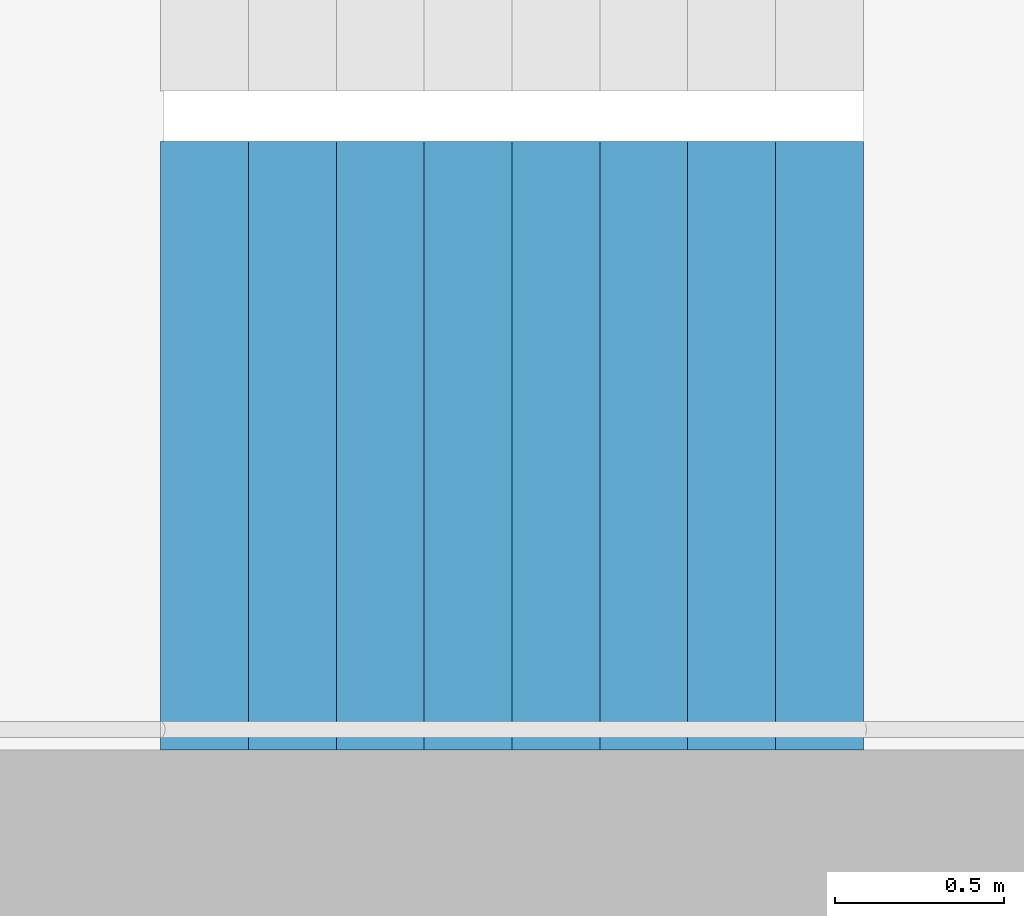
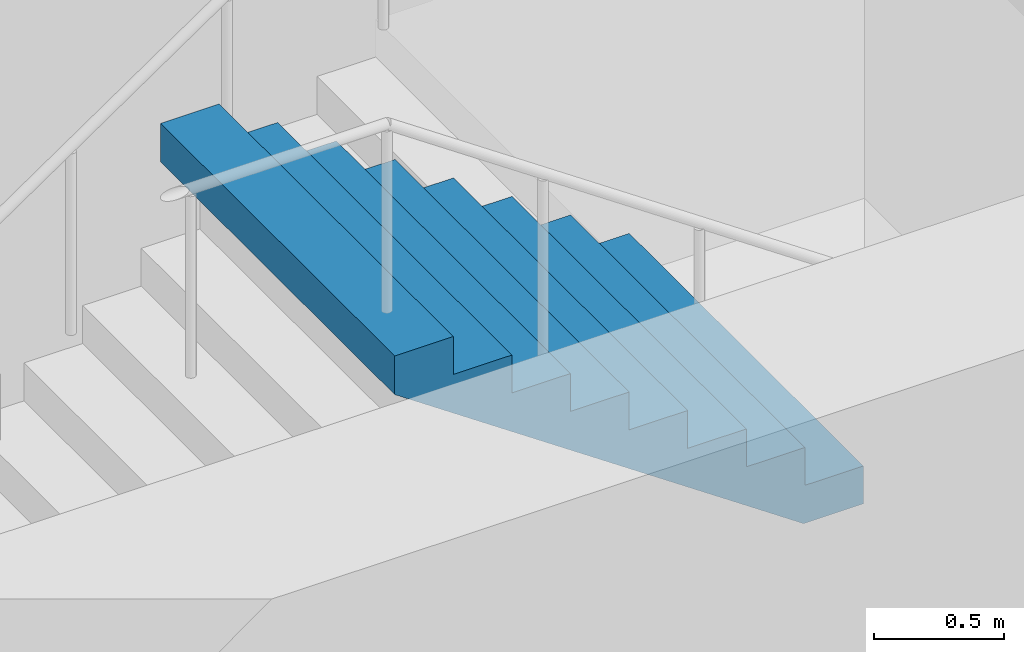
# One storey, part 23 of 33: 1 stair flight, 1 element without a shape of its own.
"""IFC4 building model written with IfcOpenShell, lengths in metres."""

from ifc_helpers import new_model, si_unit, direction, frame, origin, place, context, subcontext, project, spatial, triangles, material, type_object, element, aggregate, save


model = new_model("IFC4")

# Units and contexts
model_context = context("Model", 3, precision=1e-05, world=origin(), true_north=direction((0.0, 1.0)))
body_context = subcontext(model_context, "Body", "Model", "MODEL_VIEW")
ifc_project = project(units=[si_unit("LENGTHUNIT", "METRE"), si_unit("AREAUNIT", "SQUARE_METRE"), si_unit("VOLUMEUNIT", "CUBIC_METRE"), si_unit("PLANEANGLEUNIT", "RADIAN"), si_unit("MASSUNIT", "GRAM", prefix="KILO")], contexts=[model_context])

# Site, building, storey
site_placement = place(None, origin())
site = spatial("IfcSite", under=ifc_project, at=site_placement, CompositionType="ELEMENT")
building_placement = place(site_placement, origin())
building = spatial("IfcBuilding", under=site, at=building_placement, Name="Hakoniwa Tower and Hamabe Station Hall", CompositionType="ELEMENT")
storey_placement = place(building_placement, frame((0.0, 0.0, 81.800048828125)))
storey = spatial("IfcBuildingStorey", under=building, at=storey_placement, Name="L22", CompositionType="ELEMENT", Elevation=81.800048828125)

# Stair, stair flight
ifc_material_1 = material(Name="Concrete C40", Category="concrete")
stair_type = type_object("IfcStairType", Name="ESCAPE STAIR 1800", PredefinedType="HALF_TURN_STAIR", material=ifc_material_1)
stair_placement = place(storey_placement, origin())
stair = element("IfcStair", 1, at=stair_placement, inside=storey, type_object=stair_type, Name="Escape stair ST-4 L22", PredefinedType="HALF_TURN_STAIR")
ifc_material_2 = material(Name="Concrete C40", Category="concrete")
stair_flight_type = type_object("IfcStairFlightType", Name="STAIR FLIGHT 1800", PredefinedType="STRAIGHT", material=ifc_material_2)
stair_flight_placement = place(storey_placement, frame((25.47998046875, -6.60009765625, 1.599853515625), z_axis=(0.0, 0.0, 1.0), x_axis=(-1.0, 0.0, 0.0)))
stair_flight = element("IfcStairFlight", 2, at=stair_flight_placement, type_object=stair_flight_type, Name="ST-4 flight 2", NumberOfRisers=9, NumberOfTreads=8, PredefinedType="STRAIGHT", RiserHeight=0.177777778, TreadLength=0.26, context=body_context, shape_type="Tessellation", body=[
    triangles([(0.0, 0.89990234375, 0.0), (0.260009765625, 0.89990234375, 0.0), (0.265625, 0.89990234375, 0.0), (0.52001953125, 0.89990234375, 0.174072265625), (0.780029296875, 0.89990234375, 0.351806640625), (1.0400390625, 0.89990234375, 0.529541015625), (1.300048828125, 0.89990234375, 0.707275390625), (1.56005859375, 0.89990234375, 0.885009765625), (1.820068359375, 0.89990234375, 1.062744140625), (2.080078125, 0.89990234375, 1.24072265625), (2.080078125, 0.89990234375, 1.422119140625), (1.820068359375, 0.89990234375, 1.422119140625), (1.820068359375, 0.89990234375, 1.244384765625), (1.56005859375, 0.89990234375, 1.244384765625), (1.56005859375, 0.89990234375, 1.066650390625), (1.300048828125, 0.89990234375, 1.066650390625), (1.300048828125, 0.89990234375, 0.888916015625), (1.0400390625, 0.89990234375, 0.888916015625), (1.0400390625, 0.89990234375, 0.711181640625), (0.780029296875, 0.89990234375, 0.711181640625), (0.780029296875, 0.89990234375, 0.533447265625), (0.52001953125, 0.89990234375, 0.533447265625), (0.52001953125, 0.89990234375, 0.35546875), (0.265625, 0.89990234375, 0.35546875), (0.260009765625, 0.89990234375, 0.35546875), (0.260009765625, 0.89990234375, 0.177734375), (0.0, 0.89990234375, 0.177734375), (0.0, 0.06005859375, 0.0), (0.260009765625, 0.06005859375, 0.0), (0.265625, 0.06005859375, 0.0), (0.52001953125, 0.06005859375, 0.174072265625), (0.780029296875, 0.06005859375, 0.351806640625), (1.0400390625, 0.06005859375, 0.529541015625), (1.300048828125, 0.06005859375, 0.707275390625), (1.56005859375, 0.06005859375, 0.885009765625), (1.820068359375, 0.06005859375, 1.062744140625), (2.080078125, 0.06005859375, 1.24072265625), (2.080078125, 0.06005859375, 1.422119140625), (1.820068359375, 0.06005859375, 1.422119140625), (1.820068359375, 0.06005859375, 1.244384765625), (1.56005859375, 0.06005859375, 1.244384765625), (1.56005859375, 0.06005859375, 1.066650390625), (1.300048828125, 0.06005859375, 1.066650390625), (1.300048828125, 0.06005859375, 0.888916015625), (1.0400390625, 0.06005859375, 0.888916015625), (1.0400390625, 0.06005859375, 0.711181640625), (0.780029296875, 0.06005859375, 0.711181640625), (0.780029296875, 0.06005859375, 0.533447265625), (0.52001953125, 0.06005859375, 0.533447265625), (0.52001953125, 0.06005859375, 0.35546875), (0.265625, 0.06005859375, 0.35546875), (0.260009765625, 0.06005859375, 0.35546875), (0.260009765625, 0.06005859375, 0.177734375), (0.0, 0.06005859375, 0.177734375), (0.0, 0.04296875, 0.0), (0.260009765625, 0.04296875, 0.0), (0.265625, 0.04296875, 0.0), (0.52001953125, 0.04296875, 0.174072265625), (0.780029296875, 0.04296875, 0.351806640625), (1.0400390625, 0.04296875, 0.529541015625), (1.300048828125, 0.04296875, 0.707275390625), (1.56005859375, 0.04296875, 0.885009765625), (1.820068359375, 0.04296875, 1.062744140625), (2.080078125, 0.04296875, 1.24072265625), (2.080078125, 0.04296875, 1.422119140625), (1.820068359375, 0.04296875, 1.422119140625), (1.820068359375, 0.04296875, 1.244384765625), (1.56005859375, 0.04296875, 1.244384765625), (1.56005859375, 0.04296875, 1.066650390625), (1.300048828125, 0.04296875, 1.066650390625), (1.300048828125, 0.04296875, 0.888916015625), (1.0400390625, 0.04296875, 0.888916015625), (1.0400390625, 0.04296875, 0.711181640625), (0.780029296875, 0.04296875, 0.711181640625), (0.780029296875, 0.04296875, 0.533447265625), (0.52001953125, 0.04296875, 0.533447265625), (0.52001953125, 0.04296875, 0.35546875), (0.265625, 0.04296875, 0.35546875), (0.260009765625, 0.04296875, 0.35546875), (0.260009765625, 0.04296875, 0.177734375), (0.0, 0.04296875, 0.177734375), (0.0, 0.025634765625, 0.0), (0.260009765625, 0.025634765625, 0.0), (0.265625, 0.025634765625, 0.0), (0.52001953125, 0.025634765625, 0.174072265625), (0.780029296875, 0.025634765625, 0.351806640625), (1.0400390625, 0.025634765625, 0.529541015625), (1.300048828125, 0.025634765625, 0.707275390625), (1.56005859375, 0.025634765625, 0.885009765625), (1.820068359375, 0.025634765625, 1.062744140625), (2.080078125, 0.025634765625, 1.24072265625), (2.080078125, 0.025634765625, 1.422119140625), (1.820068359375, 0.025634765625, 1.422119140625), (1.820068359375, 0.025634765625, 1.244384765625), (1.56005859375, 0.025634765625, 1.244384765625), (1.56005859375, 0.025634765625, 1.066650390625), (1.300048828125, 0.025634765625, 1.066650390625), (1.300048828125, 0.025634765625, 0.888916015625), (1.0400390625, 0.025634765625, 0.888916015625), (1.0400390625, 0.025634765625, 0.711181640625), (0.780029296875, 0.025634765625, 0.711181640625), (0.780029296875, 0.025634765625, 0.533447265625), (0.52001953125, 0.025634765625, 0.533447265625), (0.52001953125, 0.025634765625, 0.35546875), (0.265625, 0.025634765625, 0.35546875), (0.260009765625, 0.025634765625, 0.35546875), (0.260009765625, 0.025634765625, 0.177734375), (0.0, 0.025634765625, 0.177734375), (0.0, 0.008544921875, 0.0), (0.260009765625, 0.008544921875, 0.0), (0.265625, 0.008544921875, 0.0), (0.52001953125, 0.008544921875, 0.174072265625), (0.780029296875, 0.008544921875, 0.351806640625), (1.0400390625, 0.008544921875, 0.529541015625), (1.300048828125, 0.008544921875, 0.707275390625), (1.56005859375, 0.008544921875, 0.885009765625), (1.820068359375, 0.008544921875, 1.062744140625), (2.080078125, 0.008544921875, 1.24072265625), (2.080078125, 0.008544921875, 1.422119140625), (1.820068359375, 0.008544921875, 1.422119140625), (1.820068359375, 0.008544921875, 1.244384765625), (1.56005859375, 0.008544921875, 1.244384765625), (1.56005859375, 0.008544921875, 1.066650390625), (1.300048828125, 0.008544921875, 1.066650390625), (1.300048828125, 0.008544921875, 0.888916015625), (1.0400390625, 0.008544921875, 0.888916015625), (1.0400390625, 0.008544921875, 0.711181640625), (0.780029296875, 0.008544921875, 0.711181640625), (0.780029296875, 0.008544921875, 0.533447265625), (0.52001953125, 0.008544921875, 0.533447265625), (0.52001953125, 0.008544921875, 0.35546875), (0.265625, 0.008544921875, 0.35546875), (0.260009765625, 0.008544921875, 0.35546875), (0.260009765625, 0.008544921875, 0.177734375), (0.0, 0.008544921875, 0.177734375), (0.0, -0.008544921875, 0.0), (0.260009765625, -0.008544921875, 0.0), (0.265625, -0.008544921875, 0.0), (0.52001953125, -0.008544921875, 0.174072265625), (0.780029296875, -0.008544921875, 0.351806640625), (1.0400390625, -0.008544921875, 0.529541015625), (1.300048828125, -0.008544921875, 0.707275390625), (1.56005859375, -0.008544921875, 0.885009765625), (1.820068359375, -0.008544921875, 1.062744140625), (2.080078125, -0.008544921875, 1.24072265625), (2.080078125, -0.008544921875, 1.422119140625), (1.820068359375, -0.008544921875, 1.422119140625), (1.820068359375, -0.008544921875, 1.244384765625), (1.56005859375, -0.008544921875, 1.244384765625), (1.56005859375, -0.008544921875, 1.066650390625), (1.300048828125, -0.008544921875, 1.066650390625), (1.300048828125, -0.008544921875, 0.888916015625), (1.0400390625, -0.008544921875, 0.888916015625), (1.0400390625, -0.008544921875, 0.711181640625), (0.780029296875, -0.008544921875, 0.711181640625), (0.780029296875, -0.008544921875, 0.533447265625), (0.52001953125, -0.008544921875, 0.533447265625), (0.52001953125, -0.008544921875, 0.35546875), (0.265625, -0.008544921875, 0.35546875), (0.260009765625, -0.008544921875, 0.35546875), (0.260009765625, -0.008544921875, 0.177734375), (0.0, -0.008544921875, 0.177734375), (0.0, -0.025634765625, 0.0), (0.260009765625, -0.025634765625, 0.0), (0.265625, -0.025634765625, 0.0), (0.52001953125, -0.025634765625, 0.174072265625), (0.780029296875, -0.025634765625, 0.351806640625), (1.0400390625, -0.025634765625, 0.529541015625), (1.300048828125, -0.025634765625, 0.707275390625), (1.56005859375, -0.025634765625, 0.885009765625), (1.820068359375, -0.025634765625, 1.062744140625), (2.080078125, -0.025634765625, 1.24072265625), (2.080078125, -0.025634765625, 1.422119140625), (1.820068359375, -0.025634765625, 1.422119140625), (1.820068359375, -0.025634765625, 1.244384765625), (1.56005859375, -0.025634765625, 1.244384765625), (1.56005859375, -0.025634765625, 1.066650390625), (1.300048828125, -0.025634765625, 1.066650390625), (1.300048828125, -0.025634765625, 0.888916015625), (1.0400390625, -0.025634765625, 0.888916015625), (1.0400390625, -0.025634765625, 0.711181640625), (0.780029296875, -0.025634765625, 0.711181640625), (0.780029296875, -0.025634765625, 0.533447265625), (0.52001953125, -0.025634765625, 0.533447265625), (0.52001953125, -0.025634765625, 0.35546875), (0.265625, -0.025634765625, 0.35546875), (0.260009765625, -0.025634765625, 0.35546875), (0.260009765625, -0.025634765625, 0.177734375), (0.0, -0.025634765625, 0.177734375), (0.0, -0.04296875, 0.0), (0.260009765625, -0.04296875, 0.0), (0.265625, -0.04296875, 0.0), (0.52001953125, -0.04296875, 0.174072265625), (0.780029296875, -0.04296875, 0.351806640625), (1.0400390625, -0.04296875, 0.529541015625), (1.300048828125, -0.04296875, 0.707275390625), (1.56005859375, -0.04296875, 0.885009765625), (1.820068359375, -0.04296875, 1.062744140625), (2.080078125, -0.04296875, 1.24072265625), (2.080078125, -0.04296875, 1.422119140625), (1.820068359375, -0.04296875, 1.422119140625), (1.820068359375, -0.04296875, 1.244384765625), (1.56005859375, -0.04296875, 1.244384765625), (1.56005859375, -0.04296875, 1.066650390625), (1.300048828125, -0.04296875, 1.066650390625), (1.300048828125, -0.04296875, 0.888916015625), (1.0400390625, -0.04296875, 0.888916015625), (1.0400390625, -0.04296875, 0.711181640625), (0.780029296875, -0.04296875, 0.711181640625), (0.780029296875, -0.04296875, 0.533447265625), (0.52001953125, -0.04296875, 0.533447265625), (0.52001953125, -0.04296875, 0.35546875), (0.265625, -0.04296875, 0.35546875), (0.260009765625, -0.04296875, 0.35546875), (0.260009765625, -0.04296875, 0.177734375), (0.0, -0.04296875, 0.177734375), (0.0, -0.06005859375, 0.0), (0.260009765625, -0.06005859375, 0.0), (0.265625, -0.06005859375, 0.0), (0.52001953125, -0.06005859375, 0.174072265625), (0.780029296875, -0.06005859375, 0.351806640625), (1.0400390625, -0.06005859375, 0.529541015625), (1.300048828125, -0.06005859375, 0.707275390625), (1.56005859375, -0.06005859375, 0.885009765625), (1.820068359375, -0.06005859375, 1.062744140625), (2.080078125, -0.06005859375, 1.24072265625), (2.080078125, -0.06005859375, 1.422119140625), (1.820068359375, -0.06005859375, 1.422119140625), (1.820068359375, -0.06005859375, 1.244384765625), (1.56005859375, -0.06005859375, 1.244384765625), (1.56005859375, -0.06005859375, 1.066650390625), (1.300048828125, -0.06005859375, 1.066650390625), (1.300048828125, -0.06005859375, 0.888916015625), (1.0400390625, -0.06005859375, 0.888916015625), (1.0400390625, -0.06005859375, 0.711181640625), (0.780029296875, -0.06005859375, 0.711181640625), (0.780029296875, -0.06005859375, 0.533447265625), (0.52001953125, -0.06005859375, 0.533447265625), (0.52001953125, -0.06005859375, 0.35546875), (0.265625, -0.06005859375, 0.35546875), (0.260009765625, -0.06005859375, 0.35546875), (0.260009765625, -0.06005859375, 0.177734375), (0.0, -0.06005859375, 0.177734375), (0.0, -0.89990234375, 0.0), (0.260009765625, -0.89990234375, 0.0), (0.265625, -0.89990234375, 0.0), (0.52001953125, -0.89990234375, 0.174072265625), (0.780029296875, -0.89990234375, 0.351806640625), (1.0400390625, -0.89990234375, 0.529541015625), (1.300048828125, -0.89990234375, 0.707275390625), (1.56005859375, -0.89990234375, 0.885009765625), (1.820068359375, -0.89990234375, 1.062744140625), (2.080078125, -0.89990234375, 1.24072265625), (2.080078125, -0.89990234375, 1.422119140625), (1.820068359375, -0.89990234375, 1.422119140625), (1.820068359375, -0.89990234375, 1.244384765625), (1.56005859375, -0.89990234375, 1.244384765625), (1.56005859375, -0.89990234375, 1.066650390625), (1.300048828125, -0.89990234375, 1.066650390625), (1.300048828125, -0.89990234375, 0.888916015625), (1.0400390625, -0.89990234375, 0.888916015625), (1.0400390625, -0.89990234375, 0.711181640625), (0.780029296875, -0.89990234375, 0.711181640625), (0.780029296875, -0.89990234375, 0.533447265625), (0.52001953125, -0.89990234375, 0.533447265625), (0.52001953125, -0.89990234375, 0.35546875), (0.265625, -0.89990234375, 0.35546875), (0.260009765625, -0.89990234375, 0.35546875), (0.260009765625, -0.89990234375, 0.177734375), (0.0, -0.89990234375, 0.177734375)], [[2, 27, 26], [245, 269, 270], [2, 1, 27], [245, 270, 244], [3, 25, 24], [246, 267, 268], [3, 26, 25], [246, 268, 269], [3, 2, 26], [246, 269, 245], [4, 24, 23], [247, 266, 267], [4, 3, 24], [247, 267, 246], [5, 22, 21], [248, 264, 265], [5, 23, 22], [248, 265, 266], [5, 4, 23], [248, 266, 247], [6, 20, 19], [249, 262, 263], [6, 21, 20], [249, 263, 264], [6, 5, 21], [249, 264, 248], [7, 18, 17], [250, 260, 261], [7, 19, 18], [250, 261, 262], [7, 6, 19], [250, 262, 249], [8, 16, 15], [251, 258, 259], [8, 17, 16], [251, 259, 260], [8, 7, 17], [251, 260, 250], [9, 14, 13], [252, 256, 257], [9, 15, 14], [252, 257, 258], [9, 8, 15], [252, 258, 251], [10, 12, 11], [253, 254, 255], [10, 13, 12], [253, 255, 256], [10, 9, 13], [253, 256, 252], [1, 2, 29], [1, 29, 28], [28, 29, 56], [28, 56, 55], [55, 56, 83], [55, 83, 82], [82, 83, 110], [82, 110, 109], [109, 110, 137], [109, 137, 136], [136, 137, 164], [136, 164, 163], [163, 164, 191], [163, 191, 190], [190, 191, 218], [190, 218, 217], [217, 218, 245], [217, 245, 244], [2, 3, 30], [2, 30, 29], [29, 30, 57], [29, 57, 56], [56, 57, 84], [56, 84, 83], [83, 84, 111], [83, 111, 110], [110, 111, 138], [110, 138, 137], [137, 138, 165], [137, 165, 164], [164, 165, 192], [164, 192, 191], [191, 192, 219], [191, 219, 218], [218, 219, 246], [218, 246, 245], [3, 4, 31], [3, 31, 30], [30, 31, 58], [30, 58, 57], [57, 58, 85], [57, 85, 84], [84, 85, 112], [84, 112, 111], [111, 112, 139], [111, 139, 138], [138, 139, 166], [138, 166, 165], [165, 166, 193], [165, 193, 192], [192, 193, 220], [192, 220, 219], [219, 220, 247], [219, 247, 246], [4, 5, 32], [4, 32, 31], [31, 32, 59], [31, 59, 58], [58, 59, 86], [58, 86, 85], [85, 86, 113], [85, 113, 112], [112, 113, 140], [112, 140, 139], [139, 140, 167], [139, 167, 166], [166, 167, 194], [166, 194, 193], [193, 194, 221], [193, 221, 220], [220, 221, 248], [220, 248, 247], [5, 6, 33], [5, 33, 32], [32, 33, 60], [32, 60, 59], [59, 60, 87], [59, 87, 86], [86, 87, 114], [86, 114, 113], [113, 114, 141], [113, 141, 140], [140, 141, 168], [140, 168, 167], [167, 168, 195], [167, 195, 194], [194, 195, 222], [194, 222, 221], [221, 222, 249], [221, 249, 248], [6, 7, 34], [6, 34, 33], [33, 34, 61], [33, 61, 60], [60, 61, 88], [60, 88, 87], [87, 88, 115], [87, 115, 114], [114, 115, 142], [114, 142, 141], [141, 142, 169], [141, 169, 168], [168, 169, 196], [168, 196, 195], [195, 196, 223], [195, 223, 222], [222, 223, 250], [222, 250, 249], [7, 8, 35], [7, 35, 34], [34, 35, 62], [34, 62, 61], [61, 62, 89], [61, 89, 88], [88, 89, 116], [88, 116, 115], [115, 116, 143], [115, 143, 142], [142, 143, 170], [142, 170, 169], [169, 170, 197], [169, 197, 196], [196, 197, 224], [196, 224, 223], [223, 224, 251], [223, 251, 250], [8, 9, 36], [8, 36, 35], [35, 36, 63], [35, 63, 62], [62, 63, 90], [62, 90, 89], [89, 90, 117], [89, 117, 116], [116, 117, 144], [116, 144, 143], [143, 144, 171], [143, 171, 170], [170, 171, 198], [170, 198, 197], [197, 198, 225], [197, 225, 224], [224, 225, 252], [224, 252, 251], [9, 10, 37], [9, 37, 36], [36, 37, 64], [36, 64, 63], [63, 64, 91], [63, 91, 90], [90, 91, 118], [90, 118, 117], [117, 118, 145], [117, 145, 144], [144, 145, 172], [144, 172, 171], [171, 172, 199], [171, 199, 198], [198, 199, 226], [198, 226, 225], [225, 226, 253], [225, 253, 252], [10, 11, 38], [10, 38, 37], [37, 38, 65], [37, 65, 64], [64, 65, 92], [64, 92, 91], [91, 92, 119], [91, 119, 118], [118, 119, 146], [118, 146, 145], [145, 146, 173], [145, 173, 172], [172, 173, 200], [172, 200, 199], [199, 200, 227], [199, 227, 226], [226, 227, 254], [226, 254, 253], [11, 12, 39], [11, 39, 38], [38, 39, 66], [38, 66, 65], [65, 66, 93], [65, 93, 92], [92, 93, 120], [92, 120, 119], [119, 120, 147], [119, 147, 146], [146, 147, 174], [146, 174, 173], [173, 174, 201], [173, 201, 200], [200, 201, 228], [200, 228, 227], [227, 228, 255], [227, 255, 254], [12, 13, 40], [12, 40, 39], [39, 40, 67], [39, 67, 66], [66, 67, 94], [66, 94, 93], [93, 94, 121], [93, 121, 120], [120, 121, 148], [120, 148, 147], [147, 148, 175], [147, 175, 174], [174, 175, 202], [174, 202, 201], [201, 202, 229], [201, 229, 228], [228, 229, 256], [228, 256, 255], [13, 14, 41], [13, 41, 40], [40, 41, 68], [40, 68, 67], [67, 68, 95], [67, 95, 94], [94, 95, 122], [94, 122, 121], [121, 122, 149], [121, 149, 148], [148, 149, 176], [148, 176, 175], [175, 176, 203], [175, 203, 202], [202, 203, 230], [202, 230, 229], [229, 230, 257], [229, 257, 256], [14, 15, 42], [14, 42, 41], [41, 42, 69], [41, 69, 68], [68, 69, 96], [68, 96, 95], [95, 96, 123], [95, 123, 122], [122, 123, 150], [122, 150, 149], [149, 150, 177], [149, 177, 176], [176, 177, 204], [176, 204, 203], [203, 204, 231], [203, 231, 230], [230, 231, 258], [230, 258, 257], [15, 16, 43], [15, 43, 42], [42, 43, 70], [42, 70, 69], [69, 70, 97], [69, 97, 96], [96, 97, 124], [96, 124, 123], [123, 124, 151], [123, 151, 150], [150, 151, 178], [150, 178, 177], [177, 178, 205], [177, 205, 204], [204, 205, 232], [204, 232, 231], [231, 232, 259], [231, 259, 258], [16, 17, 44], [16, 44, 43], [43, 44, 71], [43, 71, 70], [70, 71, 98], [70, 98, 97], [97, 98, 125], [97, 125, 124], [124, 125, 152], [124, 152, 151], [151, 152, 179], [151, 179, 178], [178, 179, 206], [178, 206, 205], [205, 206, 233], [205, 233, 232], [232, 233, 260], [232, 260, 259], [17, 18, 45], [17, 45, 44], [44, 45, 72], [44, 72, 71], [71, 72, 99], [71, 99, 98], [98, 99, 126], [98, 126, 125], [125, 126, 153], [125, 153, 152], [152, 153, 180], [152, 180, 179], [179, 180, 207], [179, 207, 206], [206, 207, 234], [206, 234, 233], [233, 234, 261], [233, 261, 260], [18, 19, 46], [18, 46, 45], [45, 46, 73], [45, 73, 72], [72, 73, 100], [72, 100, 99], [99, 100, 127], [99, 127, 126], [126, 127, 154], [126, 154, 153], [153, 154, 181], [153, 181, 180], [180, 181, 208], [180, 208, 207], [207, 208, 235], [207, 235, 234], [234, 235, 262], [234, 262, 261], [19, 20, 47], [19, 47, 46], [46, 47, 74], [46, 74, 73], [73, 74, 101], [73, 101, 100], [100, 101, 128], [100, 128, 127], [127, 128, 155], [127, 155, 154], [154, 155, 182], [154, 182, 181], [181, 182, 209], [181, 209, 208], [208, 209, 236], [208, 236, 235], [235, 236, 263], [235, 263, 262], [20, 21, 48], [20, 48, 47], [47, 48, 75], [47, 75, 74], [74, 75, 102], [74, 102, 101], [101, 102, 129], [101, 129, 128], [128, 129, 156], [128, 156, 155], [155, 156, 183], [155, 183, 182], [182, 183, 210], [182, 210, 209], [209, 210, 237], [209, 237, 236], [236, 237, 264], [236, 264, 263], [21, 22, 49], [21, 49, 48], [48, 49, 76], [48, 76, 75], [75, 76, 103], [75, 103, 102], [102, 103, 130], [102, 130, 129], [129, 130, 157], [129, 157, 156], [156, 157, 184], [156, 184, 183], [183, 184, 211], [183, 211, 210], [210, 211, 238], [210, 238, 237], [237, 238, 265], [237, 265, 264], [22, 23, 50], [22, 50, 49], [49, 50, 77], [49, 77, 76], [76, 77, 104], [76, 104, 103], [103, 104, 131], [103, 131, 130], [130, 131, 158], [130, 158, 157], [157, 158, 185], [157, 185, 184], [184, 185, 212], [184, 212, 211], [211, 212, 239], [211, 239, 238], [238, 239, 266], [238, 266, 265], [23, 24, 51], [23, 51, 50], [50, 51, 78], [50, 78, 77], [77, 78, 105], [77, 105, 104], [104, 105, 132], [104, 132, 131], [131, 132, 159], [131, 159, 158], [158, 159, 186], [158, 186, 185], [185, 186, 213], [185, 213, 212], [212, 213, 240], [212, 240, 239], [239, 240, 267], [239, 267, 266], [24, 25, 52], [24, 52, 51], [51, 52, 79], [51, 79, 78], [78, 79, 106], [78, 106, 105], [105, 106, 133], [105, 133, 132], [132, 133, 160], [132, 160, 159], [159, 160, 187], [159, 187, 186], [186, 187, 214], [186, 214, 213], [213, 214, 241], [213, 241, 240], [240, 241, 268], [240, 268, 267], [25, 26, 53], [25, 53, 52], [52, 53, 80], [52, 80, 79], [79, 80, 107], [79, 107, 106], [106, 107, 134], [106, 134, 133], [133, 134, 161], [133, 161, 160], [160, 161, 188], [160, 188, 187], [187, 188, 215], [187, 215, 214], [214, 215, 242], [214, 242, 241], [241, 242, 269], [241, 269, 268], [26, 27, 54], [26, 54, 53], [53, 54, 81], [53, 81, 80], [80, 81, 108], [80, 108, 107], [107, 108, 135], [107, 135, 134], [134, 135, 162], [134, 162, 161], [161, 162, 189], [161, 189, 188], [188, 189, 216], [188, 216, 215], [215, 216, 243], [215, 243, 242], [242, 243, 270], [242, 270, 269], [27, 1, 28], [27, 28, 54], [54, 28, 55], [54, 55, 81], [81, 55, 82], [81, 82, 108], [108, 82, 109], [108, 109, 135], [135, 109, 136], [135, 136, 162], [162, 136, 163], [162, 163, 189], [189, 163, 190], [189, 190, 216], [216, 190, 217], [216, 217, 243], [243, 217, 244], [243, 244, 270]], closed=True),
])
aggregate(stair, [stair_flight])

save(model, "model.ifc")
